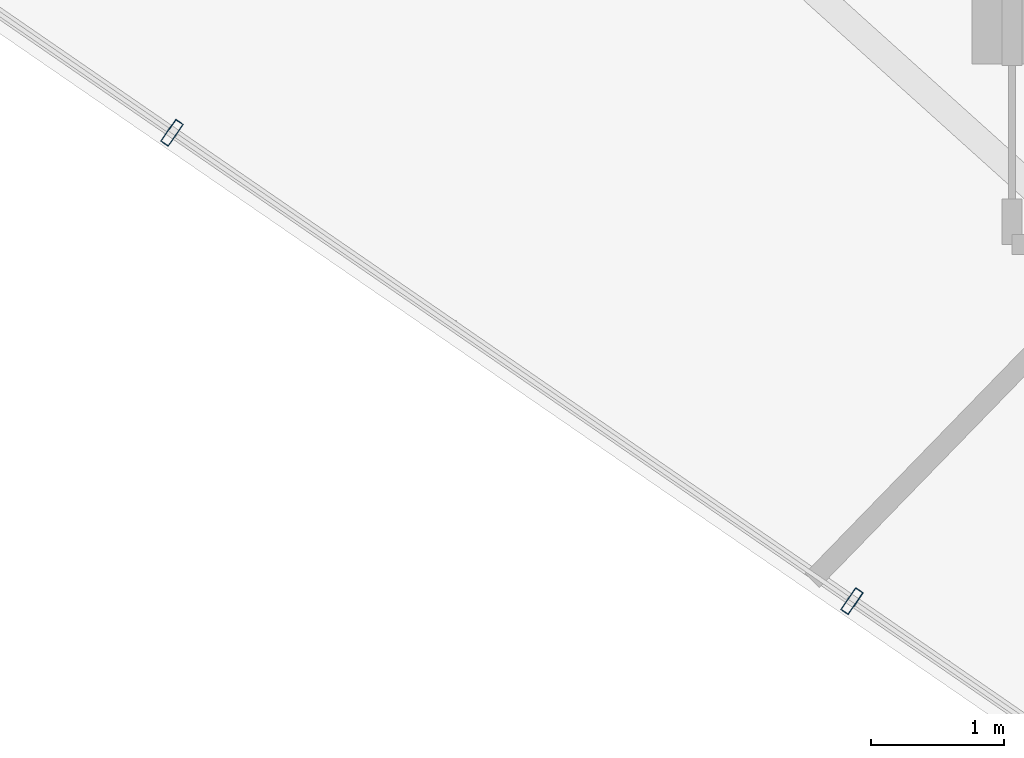
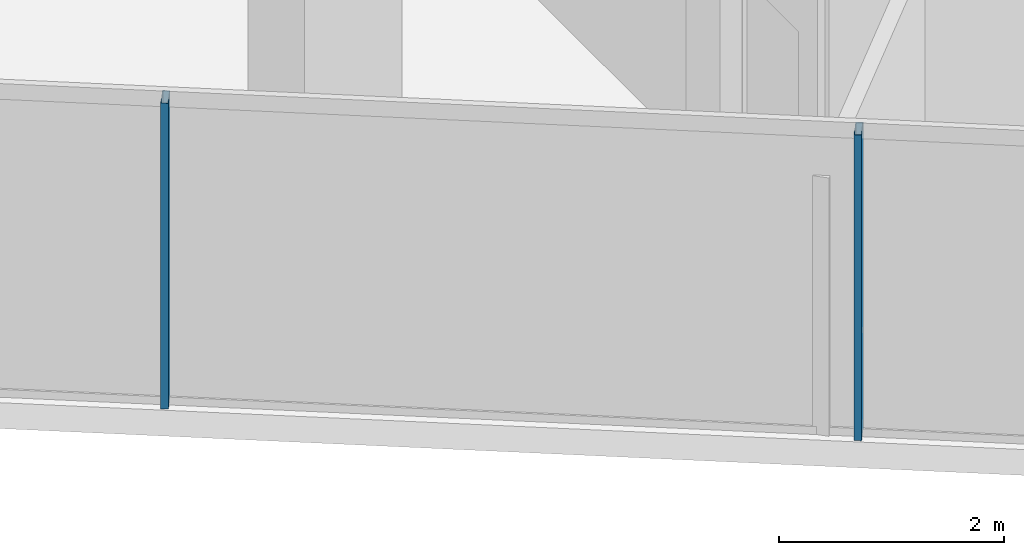
# One storey, part 2 of 21: 2 members, 1 element without a shape of its own.
"""IFC4 building model written with IfcOpenShell, lengths in metres."""

from ifc_helpers import new_model, si_unit, direction, frame, origin, origin_2d, place, context, subcontext, project, spatial, hollow_rectangle, extrude, material, layer, layer_set, material_profile, profile_set, type_object, element, aggregate, save


model = new_model("IFC4")

# Units and contexts
model_context = context("Model", 3, precision=1e-05, world=origin(), true_north=direction((0.0, 1.0)))
body_context = subcontext(model_context, "Body", "Model", "MODEL_VIEW")
ifc_project = project(units=[si_unit("LENGTHUNIT", "METRE"), si_unit("AREAUNIT", "SQUARE_METRE"), si_unit("VOLUMEUNIT", "CUBIC_METRE"), si_unit("PLANEANGLEUNIT", "RADIAN"), si_unit("MASSUNIT", "GRAM", prefix="KILO")], contexts=[model_context])

# Site, building, storey
site_placement = place(None, origin())
site = spatial("IfcSite", under=ifc_project, at=site_placement, CompositionType="ELEMENT")
building_placement = place(site_placement, origin())
building = spatial("IfcBuilding", under=site, at=building_placement, Name="Qarnah Convention Tower", CompositionType="ELEMENT")
storey_placement = place(building_placement, frame((0.0, 0.0, 161.699951171875)))
storey = spatial("IfcBuildingStorey", under=building, at=storey_placement, Name="L43", CompositionType="ELEMENT", Elevation=161.699951171875)

# Curtain wall, members
ifc_material_1 = material(Name="Tempered Low-E dark glass", Category="glass")
ifc_layer = layer(ifc_material_1, 0.172119140625)
ifc_layer_set = layer_set([ifc_layer], Name="Tempered Low-E dark glass")
curtain_wall_type = type_object("IfcCurtainWallType", Name="CWS-03", PredefinedType="NOTDEFINED", material=ifc_layer_set)
curtain_wall_placement = place(storey_placement, origin())
curtain_wall = element("IfcCurtainWall", 1, at=curtain_wall_placement, inside=storey, type_object=curtain_wall_type, Name="L43 unitised curtain wall CW-L43-F3", PredefinedType="NOTDEFINED")
ifc_material_2 = material(Name="Black anodised aluminium", Category="aluminium")
ifc_material_profile = material_profile(ifc_material_2, hollow_rectangle(XDim=0.070068359375, YDim=0.199951171875, WallThickness=0.0048828125, at=origin_2d()), Name="MUL-70X200")
ifc_profile_set = profile_set([ifc_material_profile], Name="Black anodised aluminium")
member_type = type_object("IfcMemberType", Name="MUL-T3", PredefinedType="MULLION", material=ifc_profile_set)
member_1_placement = place(storey_placement, frame((25.602294921875, 14.27685546875, 0.0), z_axis=(0.0, 0.0, 1.0), x_axis=(-0.823532102593, 0.567269667794, 0.0)))
member_1 = element("IfcMember", 2, at=member_1_placement, type_object=member_type, Name="CW-L43-F3 mullion 4", PredefinedType="MULLION", context=body_context, shape_type="SweptSolid", body=[
    extrude(hollow_rectangle(XDim=0.070068359375, YDim=0.199951171875, WallThickness=0.0048828125, at=origin_2d()), origin(), (0.0, 0.0, 1.0), 3.320068359375),
])
member_2_placement = place(storey_placement, frame((20.508544921875, 17.785400390625, 0.0), z_axis=(0.0, 0.0, 1.0), x_axis=(-0.823532102593, 0.567269667794, 0.0)))
member_2 = element("IfcMember", 3, at=member_2_placement, type_object=member_type, Name="CW-L43-F3 mullion 5", PredefinedType="MULLION", context=body_context, shape_type="SweptSolid", body=[
    extrude(hollow_rectangle(XDim=0.070068359375, YDim=0.199951171875, WallThickness=0.0048828125, at=origin_2d()), origin(), (0.0, 0.0, 1.0), 3.320068359375),
])
aggregate(curtain_wall, [member_1, member_2])

save(model, "model.ifc")
